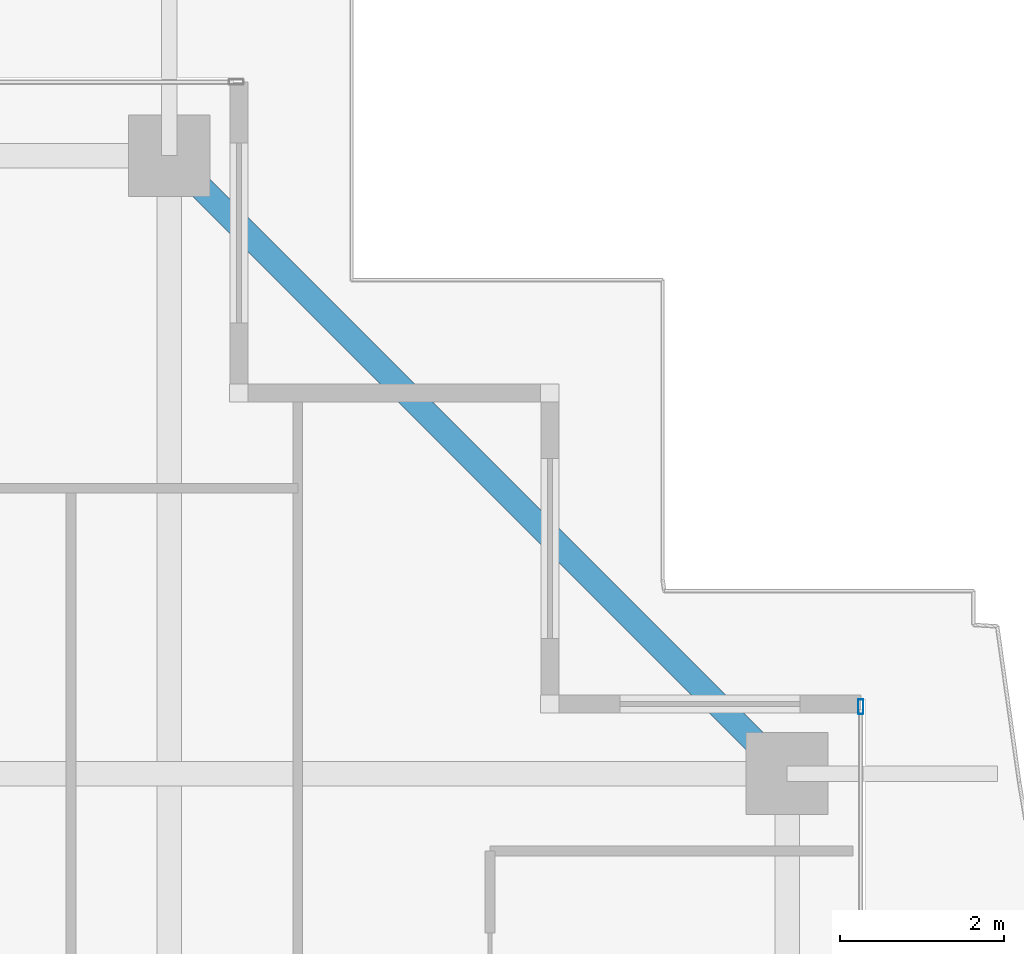
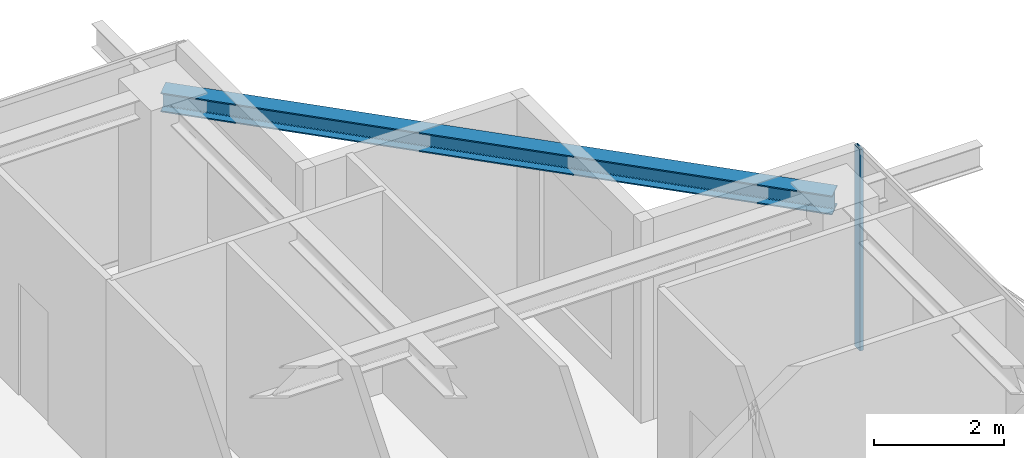
# One storey, part 28 of 42: 1 beam, 1 member, 1 element without a shape of its own.
"""IFC4 building model written with IfcOpenShell, lengths in metres."""

from ifc_helpers import new_model, si_unit, direction, frame, origin, origin_2d, place, context, subcontext, project, spatial, hollow_rectangle, i_section, extrude, source, transform, mapped, material, layer, layer_set, material_profile, profile_set, type_object, element, aggregate, save


model = new_model("IFC4")

# Units and contexts
model_context = context("Model", 3, precision=1e-05, world=origin(), true_north=direction((0.0, 1.0)))
body_context = subcontext(model_context, "Body", "Model", "MODEL_VIEW")
ifc_project = project(units=[si_unit("LENGTHUNIT", "METRE"), si_unit("AREAUNIT", "SQUARE_METRE"), si_unit("VOLUMEUNIT", "CUBIC_METRE"), si_unit("PLANEANGLEUNIT", "RADIAN"), si_unit("MASSUNIT", "GRAM", prefix="KILO")], contexts=[model_context])

# Site, building, storey
site_placement = place(None, origin())
site = spatial("IfcSite", under=ifc_project, at=site_placement, CompositionType="ELEMENT")
building_placement = place(site_placement, origin())
building = spatial("IfcBuilding", under=site, at=building_placement, Name="Serunith Strait Residences", CompositionType="ELEMENT")
storey_placement = place(building_placement, frame((0.0, 0.0, 297.5)))
storey = spatial("IfcBuildingStorey", under=building, at=storey_placement, Name="L74", CompositionType="ELEMENT", Elevation=297.5)

# Beam
ifc_material_1 = material(Name="Steel S355J2", Category="steel")
ifc_material_profile_1 = material_profile(ifc_material_1, i_section(OverallWidth=0.300048828125, OverallDepth=0.360107421875, WebThickness=0.012451171875, FlangeThickness=0.0224609375, FilletRadius=0.027099609375, at=origin_2d()), Name="HEB 360")
ifc_profile_set_1 = profile_set([ifc_material_profile_1], Name="Steel S355J2")
beam_type = type_object("IfcBeamType", Name="BM-HEB360", PredefinedType="BEAM", material=ifc_profile_set_1)
shared_shape_1 = source(origin(), body_context, "Body", "SweptSolid", [
    extrude(i_section(OverallWidth=0.300048828125, OverallDepth=0.360107421875, WebThickness=0.012451171875, FlangeThickness=0.0224609375, FilletRadius=0.027099609375, at=origin_2d()), origin(), (0.0, 0.0, 1.0), 10.677490234375),
])
beam_placement = place(storey_placement, frame((54.699951171875, 39.550048828125, 3.576904296875), z_axis=(-0.707106781187, 0.707106781187, 0.0), x_axis=(-0.707106781187, -0.707106781187, 0.0)))
element("IfcBeam", 1, at=beam_placement, inside=storey, type_object=beam_type, Name="L74 Perimeter Ring Beam 08", PredefinedType="BEAM", context=body_context, shape_type="MappedRepresentation", body=[
    mapped(shared_shape_1, transform((0.0, 0.0, 0.0), scale=1.0)),
])

# Curtain wall, member
ifc_material_2 = material(Name="Brushed Stainless-Silver Aluminium", Category="aluminium")
ifc_layer = layer(ifc_material_2, 0.199951171875, Name="Brushed Stainless-Silver Aluminium")
ifc_layer_set = layer_set([ifc_layer], Name="Brushed Stainless-Silver Aluminium")
curtain_wall_type = type_object("IfcCurtainWallType", Name="CW-SYS5", PredefinedType="NOTDEFINED", material=ifc_layer_set)
curtain_wall_placement = place(storey_placement, origin())
curtain_wall = element("IfcCurtainWall", 2, at=curtain_wall_placement, inside=storey, type_object=curtain_wall_type, Name="L74 E Unitised Fritted Curtain Wall", PredefinedType="NOTDEFINED")
ifc_material_profile_2 = material_profile(ifc_material_2, hollow_rectangle(XDim=0.06494140625, YDim=0.179931640625, WallThickness=0.00341796875, InnerFilletRadius=0.00537109375, OuterFilletRadius=0.0087890625, at=origin_2d()), Name="ALU 180x65x3.5")
ifc_profile_set_2 = profile_set([ifc_material_profile_2], Name="Brushed Stainless-Silver Aluminium")
member_type = type_object("IfcMemberType", Name="CW-SYS5-MULL", PredefinedType="MULLION", material=ifc_profile_set_2)
shared_shape_2 = source(origin(), body_context, "Body", "SweptSolid", [
    extrude(hollow_rectangle(XDim=0.06494140625, YDim=0.179931640625, WallThickness=0.00341796875, InnerFilletRadius=0.00537109375, OuterFilletRadius=0.0087890625, at=origin_2d()), origin(), (0.0, 0.0, 1.0), 3.77490234375),
])
member_placement = place(storey_placement, frame((55.60009765625, 40.367431640625, 0.0), z_axis=(0.0, 0.0, 1.0), x_axis=(-1.0, 0.0, 0.0)))
member = element("IfcMember", 3, at=member_placement, type_object=member_type, Name="CW-5 mullion 3", PredefinedType="MULLION", context=body_context, shape_type="MappedRepresentation", body=[
    mapped(shared_shape_2, transform((0.0, 0.0, 0.0), scale=1.0)),
])
aggregate(curtain_wall, [member])

save(model, "model.ifc")
